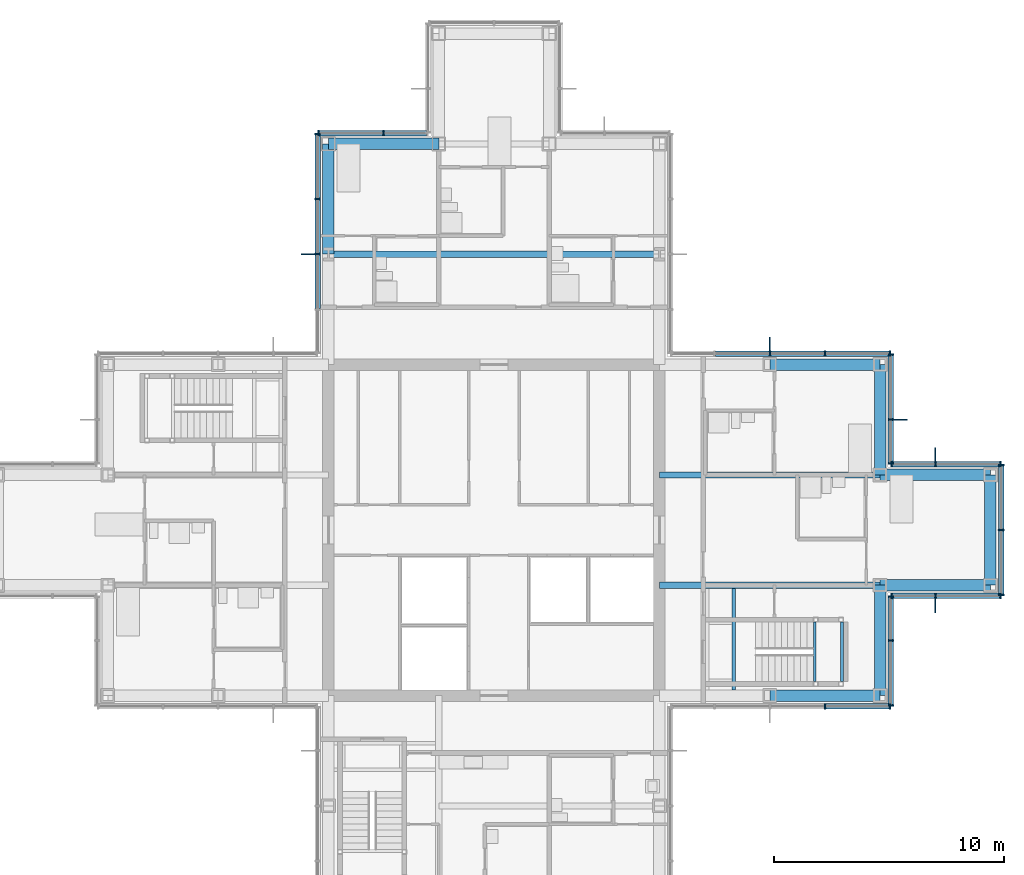
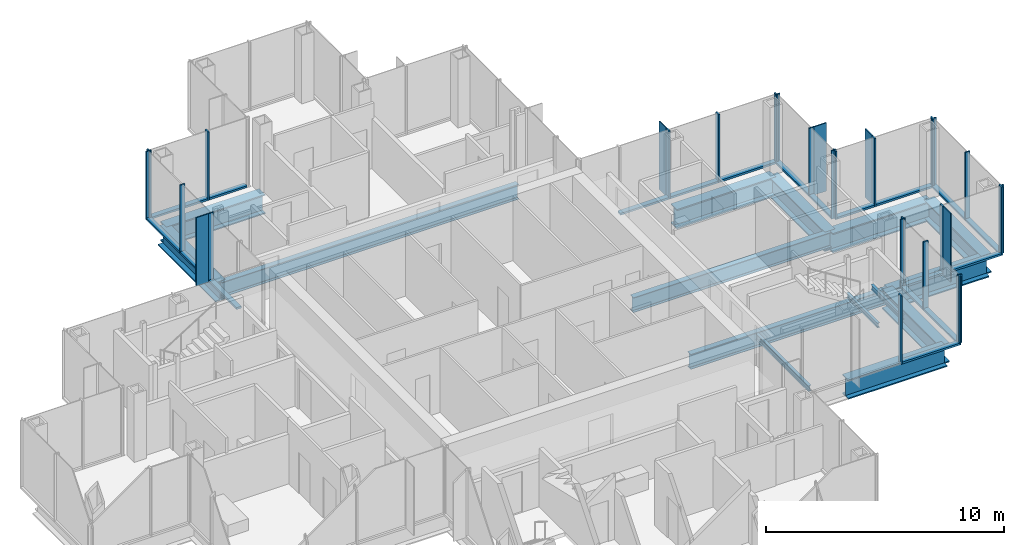
# One storey, part 8 of 17: 49 members, 15 beams, 9 elements without a shape of their own.
"""IFC4 building model written with IfcOpenShell, lengths in metres."""

from ifc_helpers import new_model, si_unit, direction, frame, origin, origin_2d, place, context, subcontext, project, spatial, rectangle, i_section, extrude, material, material_profile, profile_set, type_object, element, aggregate, save


model = new_model("IFC4")

# Units and contexts
model_context = context("Model", 3, precision=1e-05, world=origin(), true_north=direction((0.0, 1.0)))
body_context = subcontext(model_context, "Body", "Model", "MODEL_VIEW")
ifc_project = project(units=[si_unit("LENGTHUNIT", "METRE"), si_unit("AREAUNIT", "SQUARE_METRE"), si_unit("VOLUMEUNIT", "CUBIC_METRE"), si_unit("PLANEANGLEUNIT", "RADIAN"), si_unit("MASSUNIT", "GRAM", prefix="KILO")], contexts=[model_context])

# Site, building, storey
site_placement = place(None, origin())
site = spatial("IfcSite", under=ifc_project, at=site_placement, CompositionType="ELEMENT")
building_placement = place(site_placement, origin())
building = spatial("IfcBuilding", under=site, at=building_placement, Name="Kvirike Care Tower", CompositionType="ELEMENT")
storey_placement = place(building_placement, frame((0.0, 0.0, 148.0)))
storey = spatial("IfcBuildingStorey", under=building, at=storey_placement, Name="L40", CompositionType="ELEMENT", Elevation=148.0)

# Curtain wall, member
ifc_material_1 = material(Name="Anodised aluminium stick system", Category="aluminium")
curtain_wall_type = type_object("IfcCurtainWallType", Name="CW-C STICK CURTAIN WALL", PredefinedType="NOTDEFINED", material=ifc_material_1)
curtain_wall_1_placement = place(storey_placement, origin())
curtain_wall_1 = element("IfcCurtainWall", 1, at=curtain_wall_1_placement, inside=storey, type_object=curtain_wall_type, Name="Curtain wall L40 face 3", PredefinedType="NOTDEFINED")
ifc_material_2 = material(Name="Bronze anodised aluminium fin", Category="aluminium")
ifc_material_profile_1 = material_profile(ifc_material_2, rectangle(XDim=0.050048828125, YDim=0.60009765625, at=origin_2d()), Name="BRONZE FIN 600")
ifc_profile_set_1 = profile_set([ifc_material_profile_1], Name="Bronze anodised aluminium fin")
member_type_1 = type_object("IfcMemberType", Name="BRONZE FIN 600", PredefinedType="USERDEFINED", material=ifc_profile_set_1)
member_1_placement = place(storey_placement, frame((40.800048828125, 32.7099609375, 0.0), z_axis=(0.0, 0.0, 1.0), x_axis=(1.0, 0.0, 0.0)))
member_1 = element("IfcMember", 2, at=member_1_placement, type_object=member_type_1, Name="Bronze fin L40 face 3.2", ObjectType="FIN", PredefinedType="USERDEFINED", context=body_context, shape_type="SweptSolid", body=[
    extrude(rectangle(XDim=0.050048828125, YDim=0.60009765625, at=origin_2d()), origin(), (0.0, 0.0, 1.0), 3.5),
])

curtain_wall_2_placement = place(storey_placement, origin())
curtain_wall_2 = element("IfcCurtainWall", 3, at=curtain_wall_2_placement, inside=storey, type_object=curtain_wall_type, Name="Curtain wall L40 face 5", PredefinedType="NOTDEFINED")
member_2_placement = place(storey_placement, frame((40.800048828125, 39.2900390625, 0.0), z_axis=(0.0, 0.0, 1.0), x_axis=(-1.0, 0.0, 0.0)))
member_2 = element("IfcMember", 4, at=member_2_placement, type_object=member_type_1, Name="Bronze fin L40 face 5.2", ObjectType="FIN", PredefinedType="USERDEFINED", context=body_context, shape_type="SweptSolid", body=[
    extrude(rectangle(XDim=0.050048828125, YDim=0.60009765625, at=origin_2d()), origin(), (0.0, 0.0, 1.0), 3.5),
])

curtain_wall_3_placement = place(storey_placement, origin())
curtain_wall_3 = element("IfcCurtainWall", 5, at=curtain_wall_3_placement, inside=storey, type_object=curtain_wall_type, Name="Curtain wall L40 face 6", PredefinedType="NOTDEFINED")
member_3_placement = place(storey_placement, frame((39.2900390625, 40.800048828125, 0.0), z_axis=(0.0, 0.0, 1.0), x_axis=(0.0, 1.0, 0.0)))
member_3 = element("IfcMember", 6, at=member_3_placement, type_object=member_type_1, Name="Bronze fin L40 face 6.2", ObjectType="FIN", PredefinedType="USERDEFINED", context=body_context, shape_type="SweptSolid", body=[
    extrude(rectangle(XDim=0.050048828125, YDim=0.60009765625, at=origin_2d()), origin(), (0.0, 0.0, 1.0), 3.5),
])

curtain_wall_4_placement = place(storey_placement, origin())
curtain_wall_4 = element("IfcCurtainWall", 7, at=curtain_wall_4_placement, inside=storey, type_object=curtain_wall_type, Name="Curtain wall L40 face 7", PredefinedType="NOTDEFINED")
member_4_placement = place(storey_placement, frame((33.60009765625, 44.090087890625, 0.0), z_axis=(0.0, 0.0, 1.0), x_axis=(-1.0, 0.0, 0.0)))
member_4 = element("IfcMember", 8, at=member_4_placement, type_object=member_type_1, Name="Bronze fin L40 face 7.3", ObjectType="FIN", PredefinedType="USERDEFINED", context=body_context, shape_type="SweptSolid", body=[
    extrude(rectangle(XDim=0.050048828125, YDim=0.60009765625, at=origin_2d()), origin(), (0.0, 0.0, 1.0), 3.5),
])

curtain_wall_5_placement = place(storey_placement, origin())
curtain_wall_5 = element("IfcCurtainWall", 9, at=curtain_wall_5_placement, inside=storey, type_object=curtain_wall_type, Name="Curtain wall L40 face 14", PredefinedType="NOTDEFINED")
member_5_placement = place(storey_placement, frame((13.510009765625, 48.0, 0.0), z_axis=(0.0, 0.0, 1.0), x_axis=(0.0, -1.0, 0.0)))
member_5 = element("IfcMember", 10, at=member_5_placement, type_object=member_type_1, Name="Bronze fin L40 face 14.3", ObjectType="FIN", PredefinedType="USERDEFINED", context=body_context, shape_type="SweptSolid", body=[
    extrude(rectangle(XDim=0.050048828125, YDim=0.60009765625, at=origin_2d()), origin(), (0.0, 0.0, 1.0), 3.5),
])

# Curtain wall, members
curtain_wall_6_placement = place(storey_placement, origin())
curtain_wall_6 = element("IfcCurtainWall", 11, at=curtain_wall_6_placement, inside=storey, type_object=curtain_wall_type, Name="Curtain wall L40 face 1", PredefinedType="NOTDEFINED")
ifc_material_3 = material(Name="Bronze anodised aluminium mullion", Category="aluminium")
ifc_material_profile_2 = material_profile(ifc_material_3, rectangle(XDim=0.06494140625, YDim=0.239990234375, at=origin_2d()), Name="CW-C MULLION 65x240")
ifc_profile_set_2 = profile_set([ifc_material_profile_2], Name="Bronze anodised aluminium mullion")
member_type_2 = type_object("IfcMemberType", Name="CW-C MULLION 65x240", PredefinedType="MULLION", material=ifc_profile_set_2)
member_6_placement = place(storey_placement, frame((36.0, 28.330078125, 0.0), z_axis=(0.0, 0.0, 1.0), x_axis=(1.0, 0.0, 0.0)))
member_6 = element("IfcMember", 12, at=member_6_placement, type_object=member_type_2, Name="CW-C mullion L40 face 1.4", PredefinedType="MULLION", context=body_context, shape_type="SweptSolid", body=[
    extrude(rectangle(XDim=0.06494140625, YDim=0.239990234375, at=origin_2d()), origin(), (0.0, 0.0, 1.0), 3.5),
])
member_7_placement = place(storey_placement, frame((38.83740234375, 28.330078125, 0.0), z_axis=(0.0, 0.0, 1.0), x_axis=(1.0, 0.0, 0.0)))
member_7 = element("IfcMember", 13, at=member_7_placement, type_object=member_type_2, Name="CW-C mullion L40 face 1.5", PredefinedType="MULLION", context=body_context, shape_type="SweptSolid", body=[
    extrude(rectangle(XDim=0.06494140625, YDim=0.239990234375, at=origin_2d()), origin(), (0.0, 0.0, 1.0), 3.5),
])

curtain_wall_7_placement = place(storey_placement, origin())
curtain_wall_7 = element("IfcCurtainWall", 14, at=curtain_wall_7_placement, inside=storey, type_object=curtain_wall_type, Name="Curtain wall L40 face 2", PredefinedType="NOTDEFINED")
member_8_placement = place(storey_placement, frame((38.8701171875, 28.362548828125, 0.0), z_axis=(0.0, 0.0, 1.0), x_axis=(0.0, 1.0, 0.0)))
member_8 = element("IfcMember", 15, at=member_8_placement, type_object=member_type_2, Name="CW-C mullion L40 face 2.1", PredefinedType="MULLION", context=body_context, shape_type="SweptSolid", body=[
    extrude(rectangle(XDim=0.06494140625, YDim=0.239990234375, at=origin_2d()), origin(), (0.0, 0.0, 1.0), 3.5),
])
member_9_placement = place(storey_placement, frame((38.8701171875, 31.199951171875, 0.0), z_axis=(0.0, 0.0, 1.0), x_axis=(0.0, 1.0, 0.0)))
member_9 = element("IfcMember", 16, at=member_9_placement, type_object=member_type_2, Name="CW-C mullion L40 face 2.2", PredefinedType="MULLION", context=body_context, shape_type="SweptSolid", body=[
    extrude(rectangle(XDim=0.06494140625, YDim=0.239990234375, at=origin_2d()), origin(), (0.0, 0.0, 1.0), 3.5),
])
member_10_placement = place(storey_placement, frame((38.8701171875, 33.097412109375, 0.0), z_axis=(0.0, 0.0, 1.0), x_axis=(0.0, 1.0, 0.0)))
member_10 = element("IfcMember", 17, at=member_10_placement, type_object=member_type_2, Name="CW-C mullion L40 face 2.3", PredefinedType="MULLION", context=body_context, shape_type="SweptSolid", body=[
    extrude(rectangle(XDim=0.06494140625, YDim=0.239990234375, at=origin_2d()), origin(), (0.0, 0.0, 1.0), 3.5),
])

# Member
member_11_placement = place(storey_placement, frame((38.902587890625, 33.1298828125, 0.0), z_axis=(0.0, 0.0, 1.0), x_axis=(1.0, 0.0, 0.0)))
member_11 = element("IfcMember", 18, at=member_11_placement, type_object=member_type_2, Name="CW-C mullion L40 face 3.1", PredefinedType="MULLION", context=body_context, shape_type="SweptSolid", body=[
    extrude(rectangle(XDim=0.06494140625, YDim=0.239990234375, at=origin_2d()), origin(), (0.0, 0.0, 1.0), 3.5),
])

member_12_placement = place(storey_placement, frame((40.800048828125, 33.1298828125, 0.0), z_axis=(0.0, 0.0, 1.0), x_axis=(1.0, 0.0, 0.0)))
member_12 = element("IfcMember", 19, at=member_12_placement, type_object=member_type_2, Name="CW-C mullion L40 face 3.2", PredefinedType="MULLION", context=body_context, shape_type="SweptSolid", body=[
    extrude(rectangle(XDim=0.06494140625, YDim=0.239990234375, at=origin_2d()), origin(), (0.0, 0.0, 1.0), 3.5),
])

member_13_placement = place(storey_placement, frame((43.637451171875, 33.1298828125, 0.0), z_axis=(0.0, 0.0, 1.0), x_axis=(1.0, 0.0, 0.0)))
member_13 = element("IfcMember", 20, at=member_13_placement, type_object=member_type_2, Name="CW-C mullion L40 face 3.3", PredefinedType="MULLION", context=body_context, shape_type="SweptSolid", body=[
    extrude(rectangle(XDim=0.06494140625, YDim=0.239990234375, at=origin_2d()), origin(), (0.0, 0.0, 1.0), 3.5),
])

# Curtain wall, members
curtain_wall_8_placement = place(storey_placement, origin())
curtain_wall_8 = element("IfcCurtainWall", 21, at=curtain_wall_8_placement, inside=storey, type_object=curtain_wall_type, Name="Curtain wall L40 face 4", PredefinedType="NOTDEFINED")
member_14_placement = place(storey_placement, frame((43.669921875, 33.16259765625, 0.0), z_axis=(0.0, 0.0, 1.0), x_axis=(0.0, 1.0, 0.0)))
member_14 = element("IfcMember", 22, at=member_14_placement, type_object=member_type_2, Name="CW-C mullion L40 face 4.1", PredefinedType="MULLION", context=body_context, shape_type="SweptSolid", body=[
    extrude(rectangle(XDim=0.06494140625, YDim=0.239990234375, at=origin_2d()), origin(), (0.0, 0.0, 1.0), 3.5),
])
member_15_placement = place(storey_placement, frame((43.669921875, 36.0, 0.0), z_axis=(0.0, 0.0, 1.0), x_axis=(0.0, 1.0, 0.0)))
member_15 = element("IfcMember", 23, at=member_15_placement, type_object=member_type_2, Name="CW-C mullion L40 face 4.2", PredefinedType="MULLION", context=body_context, shape_type="SweptSolid", body=[
    extrude(rectangle(XDim=0.06494140625, YDim=0.239990234375, at=origin_2d()), origin(), (0.0, 0.0, 1.0), 3.5),
])
member_16_placement = place(storey_placement, frame((43.669921875, 38.83740234375, 0.0), z_axis=(0.0, 0.0, 1.0), x_axis=(0.0, 1.0, 0.0)))
member_16 = element("IfcMember", 24, at=member_16_placement, type_object=member_type_2, Name="CW-C mullion L40 face 4.3", PredefinedType="MULLION", context=body_context, shape_type="SweptSolid", body=[
    extrude(rectangle(XDim=0.06494140625, YDim=0.239990234375, at=origin_2d()), origin(), (0.0, 0.0, 1.0), 3.5),
])

# Member
member_17_placement = place(storey_placement, frame((43.637451171875, 38.8701171875, 0.0), z_axis=(0.0, 0.0, 1.0), x_axis=(-1.0, 0.0, 0.0)))
member_17 = element("IfcMember", 25, at=member_17_placement, type_object=member_type_2, Name="CW-C mullion L40 face 5.1", PredefinedType="MULLION", context=body_context, shape_type="SweptSolid", body=[
    extrude(rectangle(XDim=0.06494140625, YDim=0.239990234375, at=origin_2d()), origin(), (0.0, 0.0, 1.0), 3.5),
])

member_18_placement = place(storey_placement, frame((40.800048828125, 38.8701171875, 0.0), z_axis=(0.0, 0.0, 1.0), x_axis=(-1.0, 0.0, 0.0)))
member_18 = element("IfcMember", 26, at=member_18_placement, type_object=member_type_2, Name="CW-C mullion L40 face 5.2", PredefinedType="MULLION", context=body_context, shape_type="SweptSolid", body=[
    extrude(rectangle(XDim=0.06494140625, YDim=0.239990234375, at=origin_2d()), origin(), (0.0, 0.0, 1.0), 3.5),
])

member_19_placement = place(storey_placement, frame((38.902587890625, 38.8701171875, 0.0), z_axis=(0.0, 0.0, 1.0), x_axis=(-1.0, 0.0, 0.0)))
member_19 = element("IfcMember", 27, at=member_19_placement, type_object=member_type_2, Name="CW-C mullion L40 face 5.3", PredefinedType="MULLION", context=body_context, shape_type="SweptSolid", body=[
    extrude(rectangle(XDim=0.06494140625, YDim=0.239990234375, at=origin_2d()), origin(), (0.0, 0.0, 1.0), 3.5),
])

member_20_placement = place(storey_placement, frame((38.8701171875, 38.902587890625, 0.0), z_axis=(0.0, 0.0, 1.0), x_axis=(0.0, 1.0, 0.0)))
member_20 = element("IfcMember", 28, at=member_20_placement, type_object=member_type_2, Name="CW-C mullion L40 face 6.1", PredefinedType="MULLION", context=body_context, shape_type="SweptSolid", body=[
    extrude(rectangle(XDim=0.06494140625, YDim=0.239990234375, at=origin_2d()), origin(), (0.0, 0.0, 1.0), 3.5),
])

member_21_placement = place(storey_placement, frame((38.8701171875, 40.800048828125, 0.0), z_axis=(0.0, 0.0, 1.0), x_axis=(0.0, 1.0, 0.0)))
member_21 = element("IfcMember", 29, at=member_21_placement, type_object=member_type_2, Name="CW-C mullion L40 face 6.2", PredefinedType="MULLION", context=body_context, shape_type="SweptSolid", body=[
    extrude(rectangle(XDim=0.06494140625, YDim=0.239990234375, at=origin_2d()), origin(), (0.0, 0.0, 1.0), 3.5),
])

member_22_placement = place(storey_placement, frame((38.8701171875, 43.637451171875, 0.0), z_axis=(0.0, 0.0, 1.0), x_axis=(0.0, 1.0, 0.0)))
member_22 = element("IfcMember", 30, at=member_22_placement, type_object=member_type_2, Name="CW-C mullion L40 face 6.3", PredefinedType="MULLION", context=body_context, shape_type="SweptSolid", body=[
    extrude(rectangle(XDim=0.06494140625, YDim=0.239990234375, at=origin_2d()), origin(), (0.0, 0.0, 1.0), 3.5),
])

member_23_placement = place(storey_placement, frame((38.83740234375, 43.669921875, 0.0), z_axis=(0.0, 0.0, 1.0), x_axis=(-1.0, 0.0, 0.0)))
member_23 = element("IfcMember", 31, at=member_23_placement, type_object=member_type_2, Name="CW-C mullion L40 face 7.1", PredefinedType="MULLION", context=body_context, shape_type="SweptSolid", body=[
    extrude(rectangle(XDim=0.06494140625, YDim=0.239990234375, at=origin_2d()), origin(), (0.0, 0.0, 1.0), 3.5),
])

member_24_placement = place(storey_placement, frame((36.0, 43.669921875, 0.0), z_axis=(0.0, 0.0, 1.0), x_axis=(-1.0, 0.0, 0.0)))
member_24 = element("IfcMember", 32, at=member_24_placement, type_object=member_type_2, Name="CW-C mullion L40 face 7.2", PredefinedType="MULLION", context=body_context, shape_type="SweptSolid", body=[
    extrude(rectangle(XDim=0.06494140625, YDim=0.239990234375, at=origin_2d()), origin(), (0.0, 0.0, 1.0), 3.5),
])

member_25_placement = place(storey_placement, frame((33.60009765625, 43.669921875, 0.0), z_axis=(0.0, 0.0, 1.0), x_axis=(-1.0, 0.0, 0.0)))
member_25 = element("IfcMember", 33, at=member_25_placement, type_object=member_type_2, Name="CW-C mullion L40 face 7.3", PredefinedType="MULLION", context=body_context, shape_type="SweptSolid", body=[
    extrude(rectangle(XDim=0.06494140625, YDim=0.239990234375, at=origin_2d()), origin(), (0.0, 0.0, 1.0), 3.5),
])

# Curtain wall, members
curtain_wall_9_placement = place(storey_placement, origin())
curtain_wall_9 = element("IfcCurtainWall", 34, at=curtain_wall_9_placement, inside=storey, type_object=curtain_wall_type, Name="Curtain wall L40 face 13", PredefinedType="NOTDEFINED")
member_26_placement = place(storey_placement, frame((16.800048828125, 53.27001953125, 0.0), z_axis=(0.0, 0.0, 1.0), x_axis=(-1.0, 0.0, 0.0)))
member_26 = element("IfcMember", 35, at=member_26_placement, type_object=member_type_2, Name="CW-C mullion L40 face 13.2", PredefinedType="MULLION", context=body_context, shape_type="SweptSolid", body=[
    extrude(rectangle(XDim=0.06494140625, YDim=0.239990234375, at=origin_2d()), origin(), (0.0, 0.0, 1.0), 3.5),
])
member_27_placement = place(storey_placement, frame((13.96240234375, 53.27001953125, 0.0), z_axis=(0.0, 0.0, 1.0), x_axis=(-1.0, 0.0, 0.0)))
member_27 = element("IfcMember", 36, at=member_27_placement, type_object=member_type_2, Name="CW-C mullion L40 face 13.3", PredefinedType="MULLION", context=body_context, shape_type="SweptSolid", body=[
    extrude(rectangle(XDim=0.06494140625, YDim=0.239990234375, at=origin_2d()), origin(), (0.0, 0.0, 1.0), 3.5),
])

# Member
member_28_placement = place(storey_placement, frame((13.929931640625, 53.237548828125, 0.0), z_axis=(0.0, 0.0, 1.0), x_axis=(0.0, -1.0, 0.0)))
member_28 = element("IfcMember", 37, at=member_28_placement, type_object=member_type_2, Name="CW-C mullion L40 face 14.1", PredefinedType="MULLION", context=body_context, shape_type="SweptSolid", body=[
    extrude(rectangle(XDim=0.06494140625, YDim=0.239990234375, at=origin_2d()), origin(), (0.0, 0.0, 1.0), 3.5),
])

member_29_placement = place(storey_placement, frame((13.929931640625, 50.39990234375, 0.0), z_axis=(0.0, 0.0, 1.0), x_axis=(0.0, -1.0, 0.0)))
member_29 = element("IfcMember", 38, at=member_29_placement, type_object=member_type_2, Name="CW-C mullion L40 face 14.2", PredefinedType="MULLION", context=body_context, shape_type="SweptSolid", body=[
    extrude(rectangle(XDim=0.06494140625, YDim=0.239990234375, at=origin_2d()), origin(), (0.0, 0.0, 1.0), 3.5),
])

member_30_placement = place(storey_placement, frame((13.929931640625, 48.0, 0.0), z_axis=(0.0, 0.0, 1.0), x_axis=(0.0, -1.0, 0.0)))
member_30 = element("IfcMember", 39, at=member_30_placement, type_object=member_type_2, Name="CW-C mullion L40 face 14.3", PredefinedType="MULLION", context=body_context, shape_type="SweptSolid", body=[
    extrude(rectangle(XDim=0.06494140625, YDim=0.239990234375, at=origin_2d()), origin(), (0.0, 0.0, 1.0), 3.5),
])

ifc_material_4 = material(Name="Bronze anodised aluminium transom", Category="aluminium")
ifc_material_profile_3 = material_profile(ifc_material_4, rectangle(XDim=0.239990234375, YDim=0.10009765625, at=origin_2d()), Name="CW-C TRANSOM 240x100")
ifc_profile_set_3 = profile_set([ifc_material_profile_3], Name="Bronze anodised aluminium transom")
member_type_3 = type_object("IfcMemberType", Name="CW-C TRANSOM 240x100", PredefinedType="USERDEFINED", material=ifc_profile_set_3)
member_31_placement = place(storey_placement, frame((36.032470703125, 28.330078125, 0.050048828125), z_axis=(1.0, 0.0, 0.0), x_axis=(0.0, 1.0, 0.0)))
member_31 = element("IfcMember", 40, at=member_31_placement, type_object=member_type_3, Name="CW-C sill transom L40 face 1.4", ObjectType="TRANSOM", PredefinedType="USERDEFINED", context=body_context, shape_type="SweptSolid", body=[
    extrude(rectangle(XDim=0.239990234375, YDim=0.10009765625, at=origin_2d()), origin(), (0.0, 0.0, 1.0), 2.7724609375),
])

aggregate(curtain_wall_6, [member_6, member_7, member_31])

member_32_placement = place(storey_placement, frame((38.8701171875, 28.39501953125, 0.050048828125), z_axis=(0.0, 1.0, 0.0), x_axis=(-1.0, 0.0, 0.0)))
member_32 = element("IfcMember", 41, at=member_32_placement, type_object=member_type_3, Name="CW-C sill transom L40 face 2.1", ObjectType="TRANSOM", PredefinedType="USERDEFINED", context=body_context, shape_type="SweptSolid", body=[
    extrude(rectangle(XDim=0.239990234375, YDim=0.10009765625, at=origin_2d()), origin(), (0.0, 0.0, 1.0), 2.7724609375),
])

member_33_placement = place(storey_placement, frame((38.8701171875, 31.232421875, 0.050048828125), z_axis=(0.0, 1.0, 0.0), x_axis=(-1.0, 0.0, 0.0)))
member_33 = element("IfcMember", 42, at=member_33_placement, type_object=member_type_3, Name="CW-C sill transom L40 face 2.2", ObjectType="TRANSOM", PredefinedType="USERDEFINED", context=body_context, shape_type="SweptSolid", body=[
    extrude(rectangle(XDim=0.239990234375, YDim=0.10009765625, at=origin_2d()), origin(), (0.0, 0.0, 1.0), 1.83251953125),
])

aggregate(curtain_wall_7, [member_8, member_9, member_10, member_32, member_33])

member_34_placement = place(storey_placement, frame((38.93505859375, 33.1298828125, 0.050048828125), z_axis=(1.0, 0.0, 0.0), x_axis=(0.0, 1.0, 0.0)))
member_34 = element("IfcMember", 43, at=member_34_placement, type_object=member_type_3, Name="CW-C sill transom L40 face 3.1", ObjectType="TRANSOM", PredefinedType="USERDEFINED", context=body_context, shape_type="SweptSolid", body=[
    extrude(rectangle(XDim=0.239990234375, YDim=0.10009765625, at=origin_2d()), origin(), (0.0, 0.0, 1.0), 1.83251953125),
])

member_35_placement = place(storey_placement, frame((40.83251953125, 33.1298828125, 0.050048828125), z_axis=(1.0, 0.0, 0.0), x_axis=(0.0, 1.0, 0.0)))
member_35 = element("IfcMember", 44, at=member_35_placement, type_object=member_type_3, Name="CW-C sill transom L40 face 3.2", ObjectType="TRANSOM", PredefinedType="USERDEFINED", context=body_context, shape_type="SweptSolid", body=[
    extrude(rectangle(XDim=0.239990234375, YDim=0.10009765625, at=origin_2d()), origin(), (0.0, 0.0, 1.0), 2.7724609375),
])

aggregate(curtain_wall_1, [member_11, member_12, member_1, member_13, member_34, member_35])

member_36_placement = place(storey_placement, frame((43.669921875, 33.195068359375, 0.050048828125), z_axis=(0.0, 1.0, 0.0), x_axis=(-1.0, 0.0, 0.0)))
member_36 = element("IfcMember", 45, at=member_36_placement, type_object=member_type_3, Name="CW-C sill transom L40 face 4.1", ObjectType="TRANSOM", PredefinedType="USERDEFINED", context=body_context, shape_type="SweptSolid", body=[
    extrude(rectangle(XDim=0.239990234375, YDim=0.10009765625, at=origin_2d()), origin(), (0.0, 0.0, 1.0), 2.7724609375),
])

member_37_placement = place(storey_placement, frame((43.669921875, 36.032470703125, 0.050048828125), z_axis=(0.0, 1.0, 0.0), x_axis=(-1.0, 0.0, 0.0)))
member_37 = element("IfcMember", 46, at=member_37_placement, type_object=member_type_3, Name="CW-C sill transom L40 face 4.2", ObjectType="TRANSOM", PredefinedType="USERDEFINED", context=body_context, shape_type="SweptSolid", body=[
    extrude(rectangle(XDim=0.239990234375, YDim=0.10009765625, at=origin_2d()), origin(), (0.0, 0.0, 1.0), 2.7724609375),
])

aggregate(curtain_wall_8, [member_14, member_15, member_16, member_36, member_37])

member_38_placement = place(storey_placement, frame((43.60498046875, 38.8701171875, 0.050048828125), z_axis=(-1.0, 0.0, 0.0), x_axis=(0.0, -1.0, 0.0)))
member_38 = element("IfcMember", 47, at=member_38_placement, type_object=member_type_3, Name="CW-C sill transom L40 face 5.1", ObjectType="TRANSOM", PredefinedType="USERDEFINED", context=body_context, shape_type="SweptSolid", body=[
    extrude(rectangle(XDim=0.239990234375, YDim=0.10009765625, at=origin_2d()), origin(), (0.0, 0.0, 1.0), 2.7724609375),
])

member_39_placement = place(storey_placement, frame((40.767578125, 38.8701171875, 0.050048828125), z_axis=(-1.0, 0.0, 0.0), x_axis=(0.0, -1.0, 0.0)))
member_39 = element("IfcMember", 48, at=member_39_placement, type_object=member_type_3, Name="CW-C sill transom L40 face 5.2", ObjectType="TRANSOM", PredefinedType="USERDEFINED", context=body_context, shape_type="SweptSolid", body=[
    extrude(rectangle(XDim=0.239990234375, YDim=0.10009765625, at=origin_2d()), origin(), (0.0, 0.0, 1.0), 1.83251953125),
])

aggregate(curtain_wall_2, [member_17, member_18, member_2, member_19, member_38, member_39])

member_40_placement = place(storey_placement, frame((38.8701171875, 38.93505859375, 0.050048828125), z_axis=(0.0, 1.0, 0.0), x_axis=(-1.0, 0.0, 0.0)))
member_40 = element("IfcMember", 49, at=member_40_placement, type_object=member_type_3, Name="CW-C sill transom L40 face 6.1", ObjectType="TRANSOM", PredefinedType="USERDEFINED", context=body_context, shape_type="SweptSolid", body=[
    extrude(rectangle(XDim=0.239990234375, YDim=0.10009765625, at=origin_2d()), origin(), (0.0, 0.0, 1.0), 1.83251953125),
])

member_41_placement = place(storey_placement, frame((38.8701171875, 40.83251953125, 0.050048828125), z_axis=(0.0, 1.0, 0.0), x_axis=(-1.0, 0.0, 0.0)))
member_41 = element("IfcMember", 50, at=member_41_placement, type_object=member_type_3, Name="CW-C sill transom L40 face 6.2", ObjectType="TRANSOM", PredefinedType="USERDEFINED", context=body_context, shape_type="SweptSolid", body=[
    extrude(rectangle(XDim=0.239990234375, YDim=0.10009765625, at=origin_2d()), origin(), (0.0, 0.0, 1.0), 2.7724609375),
])

aggregate(curtain_wall_3, [member_20, member_21, member_3, member_22, member_40, member_41])

member_42_placement = place(storey_placement, frame((38.804931640625, 43.669921875, 0.050048828125), z_axis=(-1.0, 0.0, 0.0), x_axis=(0.0, -1.0, 0.0)))
member_42 = element("IfcMember", 51, at=member_42_placement, type_object=member_type_3, Name="CW-C sill transom L40 face 7.1", ObjectType="TRANSOM", PredefinedType="USERDEFINED", context=body_context, shape_type="SweptSolid", body=[
    extrude(rectangle(XDim=0.239990234375, YDim=0.10009765625, at=origin_2d()), origin(), (0.0, 0.0, 1.0), 2.7724609375),
])

member_43_placement = place(storey_placement, frame((35.967529296875, 43.669921875, 0.050048828125), z_axis=(-1.0, 0.0, 0.0), x_axis=(0.0, -1.0, 0.0)))
member_43 = element("IfcMember", 52, at=member_43_placement, type_object=member_type_3, Name="CW-C sill transom L40 face 7.2", ObjectType="TRANSOM", PredefinedType="USERDEFINED", context=body_context, shape_type="SweptSolid", body=[
    extrude(rectangle(XDim=0.239990234375, YDim=0.10009765625, at=origin_2d()), origin(), (0.0, 0.0, 1.0), 2.3349609375),
])

member_44_placement = place(storey_placement, frame((33.5673828125, 43.669921875, 0.050048828125), z_axis=(-1.0, 0.0, 0.0), x_axis=(0.0, -1.0, 0.0)))
member_44 = element("IfcMember", 53, at=member_44_placement, type_object=member_type_3, Name="CW-C sill transom L40 face 7.3", ObjectType="TRANSOM", PredefinedType="USERDEFINED", context=body_context, shape_type="SweptSolid", body=[
    extrude(rectangle(XDim=0.239990234375, YDim=0.10009765625, at=origin_2d()), origin(), (0.0, 0.0, 1.0), 2.3349609375),
])

aggregate(curtain_wall_4, [member_23, member_24, member_25, member_4, member_42, member_43, member_44])

member_45_placement = place(storey_placement, frame((18.6650390625, 53.27001953125, 0.050048828125), z_axis=(-1.0, 0.0, 0.0), x_axis=(0.0, -1.0, 0.0)))
member_45 = element("IfcMember", 54, at=member_45_placement, type_object=member_type_3, Name="CW-C sill transom L40 face 13.1", ObjectType="TRANSOM", PredefinedType="USERDEFINED", context=body_context, shape_type="SweptSolid", body=[
    extrude(rectangle(XDim=0.239990234375, YDim=0.10009765625, at=origin_2d()), origin(), (0.0, 0.0, 1.0), 1.83251953125),
])

member_46_placement = place(storey_placement, frame((16.767578125, 53.27001953125, 0.050048828125), z_axis=(-1.0, 0.0, 0.0), x_axis=(0.0, -1.0, 0.0)))
member_46 = element("IfcMember", 55, at=member_46_placement, type_object=member_type_3, Name="CW-C sill transom L40 face 13.2", ObjectType="TRANSOM", PredefinedType="USERDEFINED", context=body_context, shape_type="SweptSolid", body=[
    extrude(rectangle(XDim=0.239990234375, YDim=0.10009765625, at=origin_2d()), origin(), (0.0, 0.0, 1.0), 2.7724609375),
])

aggregate(curtain_wall_9, [member_26, member_27, member_45, member_46])

member_47_placement = place(storey_placement, frame((13.929931640625, 53.205078125, 0.050048828125), z_axis=(0.0, -1.0, 0.0), x_axis=(1.0, 0.0, 0.0)))
member_47 = element("IfcMember", 56, at=member_47_placement, type_object=member_type_3, Name="CW-C sill transom L40 face 14.1", ObjectType="TRANSOM", PredefinedType="USERDEFINED", context=body_context, shape_type="SweptSolid", body=[
    extrude(rectangle(XDim=0.239990234375, YDim=0.10009765625, at=origin_2d()), origin(), (0.0, 0.0, 1.0), 2.7724609375),
])

member_48_placement = place(storey_placement, frame((13.929931640625, 50.367431640625, 0.050048828125), z_axis=(0.0, -1.0, 0.0), x_axis=(1.0, 0.0, 0.0)))
member_48 = element("IfcMember", 57, at=member_48_placement, type_object=member_type_3, Name="CW-C sill transom L40 face 14.2", ObjectType="TRANSOM", PredefinedType="USERDEFINED", context=body_context, shape_type="SweptSolid", body=[
    extrude(rectangle(XDim=0.239990234375, YDim=0.10009765625, at=origin_2d()), origin(), (0.0, 0.0, 1.0), 2.3349609375),
])

member_49_placement = place(storey_placement, frame((13.929931640625, 47.967529296875, 0.050048828125), z_axis=(0.0, -1.0, 0.0), x_axis=(1.0, 0.0, 0.0)))
member_49 = element("IfcMember", 58, at=member_49_placement, type_object=member_type_3, Name="CW-C sill transom L40 face 14.3", ObjectType="TRANSOM", PredefinedType="USERDEFINED", context=body_context, shape_type="SweptSolid", body=[
    extrude(rectangle(XDim=0.239990234375, YDim=0.10009765625, at=origin_2d()), origin(), (0.0, 0.0, 1.0), 2.3349609375),
])

aggregate(curtain_wall_5, [member_28, member_29, member_30, member_5, member_47, member_48, member_49])

# Beams
ifc_material_5 = material(Name="Steel S355", Category="steel")
ifc_material_profile_4 = material_profile(ifc_material_5, i_section(OverallWidth=0.26806640625, OverallDepth=0.77001953125, WebThickness=0.015625, FlangeThickness=0.025390625, FilletRadius=0.01708984375, at=origin_2d()), Name="IPE 750x196")
ifc_profile_set_4 = profile_set([ifc_material_profile_4], Name="Steel S355")
beam_type_1 = type_object("IfcBeamType", Name="FLOOR BEAM IPE 750x196", PredefinedType="BEAM", material=ifc_profile_set_4)
for number, where, z_axis, x_axis, name in (
    (59, (28.800048828125, 33.60009765625, -0.554931640625), (1.0, 0.0, 0.0), (0.0, 1.0, 0.0), "Floor Beam H9-H11 L40"),
    (60, (28.800048828125, 38.39990234375, -0.554931640625), (1.0, 0.0, 0.0), (0.0, 1.0, 0.0), "Floor Beam J9-J11 L40"),
):
    element("IfcBeam", number, at=place(storey_placement, frame(where, z_axis=z_axis, x_axis=x_axis)), inside=storey, type_object=beam_type_1, Name=name, PredefinedType="BEAM", context=body_context, shape_type="SweptSolid", body=[
        extrude(i_section(OverallWidth=0.26806640625, OverallDepth=0.77001953125, WebThickness=0.015625, FlangeThickness=0.025390625, FilletRadius=0.01708984375, at=origin_2d()), origin(), (0.0, 0.0, 1.0), 9.599853515625),
    ])
beam_1_placement = place(storey_placement, frame((14.39990234375, 48.0, -0.554931640625), z_axis=(1.0, 0.0, 0.0), x_axis=(0.0, 1.0, 0.0)))
element("IfcBeam", 61, at=beam_1_placement, inside=storey, type_object=beam_type_1, Name="Floor Beam L6-L9 L40", PredefinedType="BEAM", context=body_context, shape_type="SweptSolid", body=[
    extrude(i_section(OverallWidth=0.26806640625, OverallDepth=0.77001953125, WebThickness=0.015625, FlangeThickness=0.025390625, FilletRadius=0.01708984375, at=origin_2d()), origin(), (0.0, 0.0, 1.0), 14.400146484375),
])
ifc_material_6 = material(Name="Steel S355", Category="steel")
ifc_material_profile_5 = material_profile(ifc_material_6, i_section(OverallWidth=0.5, OverallDepth=1.0, WebThickness=0.030029296875, FlangeThickness=0.06005859375, at=origin_2d()), Name="PG 1000x500x30x60")
ifc_profile_set_5 = profile_set([ifc_material_profile_5], Name="Steel S355")
beam_type_2 = type_object("IfcBeamType", Name="SPANDREL PG 1000x500x30x60", PredefinedType="SPANDREL", material=ifc_profile_set_5)
beam_2_placement = place(storey_placement, frame((33.60009765625, 28.800048828125, -0.669921875), z_axis=(1.0, 0.0, 0.0), x_axis=(0.0, 1.0, 0.0)))
element("IfcBeam", 62, at=beam_2_placement, inside=storey, type_object=beam_type_2, Name="Spandrel G10-G11 L40", PredefinedType="SPANDREL", context=body_context, shape_type="SweptSolid", body=[
    extrude(i_section(OverallWidth=0.5, OverallDepth=1.0, WebThickness=0.030029296875, FlangeThickness=0.06005859375, at=origin_2d()), origin(), (0.0, 0.0, 1.0), 4.7998046875),
])
for number, where, z_axis, x_axis, name in (
    (63, (38.39990234375, 33.60009765625, -0.669921875), (1.0, 0.0, 0.0), (0.0, 1.0, 0.0), "Spandrel H11-H12 L40"),
    (64, (38.39990234375, 38.39990234375, -0.669921875), (1.0, 0.0, 0.0), (0.0, 1.0, 0.0), "Spandrel J11-J12 L40"),
):
    element("IfcBeam", number, at=place(storey_placement, frame(where, z_axis=z_axis, x_axis=x_axis)), inside=storey, type_object=beam_type_2, Name=name, PredefinedType="SPANDREL", context=body_context, shape_type="SweptSolid", body=[
        extrude(i_section(OverallWidth=0.5, OverallDepth=1.0, WebThickness=0.030029296875, FlangeThickness=0.06005859375, at=origin_2d()), origin(), (0.0, 0.0, 1.0), 4.800048828125),
    ])
beam_3_placement = place(storey_placement, frame((33.60009765625, 43.199951171875, -0.669921875), z_axis=(1.0, 0.0, 0.0), x_axis=(0.0, 1.0, 0.0)))
element("IfcBeam", 65, at=beam_3_placement, inside=storey, type_object=beam_type_2, Name="Spandrel K10-K11 L40", PredefinedType="SPANDREL", context=body_context, shape_type="SweptSolid", body=[
    extrude(i_section(OverallWidth=0.5, OverallDepth=1.0, WebThickness=0.030029296875, FlangeThickness=0.06005859375, at=origin_2d()), origin(), (0.0, 0.0, 1.0), 4.7998046875),
])
for number, where, z_axis, x_axis, name in (
    (66, (14.39990234375, 52.800048828125, -0.669921875), (1.0, 0.0, 0.0), (0.0, 1.0, 0.0), "Spandrel M6-M7 L40"),
    (67, (14.39990234375, 48.0, -0.669921875), (0.0, 1.0, 0.0), (-1.0, 0.0, 0.0), "Spandrel L6-M6 L40"),
    (68, (38.39990234375, 28.800048828125, -0.669921875), (0.0, 1.0, 0.0), (-1.0, 0.0, 0.0), "Spandrel G11-H11 L40"),
    (69, (38.39990234375, 38.39990234375, -0.669921875), (0.0, 1.0, 0.0), (-1.0, 0.0, 0.0), "Spandrel J11-K11 L40"),
):
    element("IfcBeam", number, at=place(storey_placement, frame(where, z_axis=z_axis, x_axis=x_axis)), inside=storey, type_object=beam_type_2, Name=name, PredefinedType="SPANDREL", context=body_context, shape_type="SweptSolid", body=[
        extrude(i_section(OverallWidth=0.5, OverallDepth=1.0, WebThickness=0.030029296875, FlangeThickness=0.06005859375, at=origin_2d()), origin(), (0.0, 0.0, 1.0), 4.800048828125),
    ])
beam_4_placement = place(storey_placement, frame((43.199951171875, 33.60009765625, -0.669921875), z_axis=(0.0, 1.0, 0.0), x_axis=(-1.0, 0.0, 0.0)))
element("IfcBeam", 70, at=beam_4_placement, inside=storey, type_object=beam_type_2, Name="Spandrel H12-J12 L40", PredefinedType="SPANDREL", context=body_context, shape_type="SweptSolid", body=[
    extrude(i_section(OverallWidth=0.5, OverallDepth=1.0, WebThickness=0.030029296875, FlangeThickness=0.06005859375, at=origin_2d()), origin(), (0.0, 0.0, 1.0), 4.7998046875),
])
ifc_material_7 = material(Name="Steel S355", Category="steel")
ifc_material_profile_6 = material_profile(ifc_material_7, i_section(OverallWidth=0.1201171875, OverallDepth=0.239990234375, WebThickness=0.006103515625, FlangeThickness=0.009765625, FilletRadius=0.014892578125, at=origin_2d()), Name="IPE 240")
ifc_profile_set_6 = profile_set([ifc_material_profile_6], Name="Steel S355")
beam_type_3 = type_object("IfcBeamType", Name="STAIR LANDING BEAM IPE 240", PredefinedType="BEAM", material=ifc_profile_set_6)
for number, where, z_axis, x_axis, name in (
    (71, (36.739990234375, 29.39990234375, 1.429931640625), (0.0, 1.0, 0.0), (-1.0, 0.0, 0.0), "Stair 2 landing beam back L40"),
    (72, (35.56005859375, 29.39990234375, 1.429931640625), (0.0, 1.0, 0.0), (-1.0, 0.0, 0.0), "Stair 2 landing beam front L40"),
):
    element("IfcBeam", number, at=place(storey_placement, frame(where, z_axis=z_axis, x_axis=x_axis)), inside=storey, type_object=beam_type_3, Name=name, PredefinedType="BEAM", context=body_context, shape_type="SweptSolid", body=[
        extrude(i_section(OverallWidth=0.1201171875, OverallDepth=0.239990234375, WebThickness=0.006103515625, FlangeThickness=0.009765625, FilletRadius=0.014892578125, at=origin_2d()), origin(), (0.0, 0.0, 1.0), 2.60009765625),
    ])
ifc_material_8 = material(Name="Steel S355", Category="steel")
ifc_material_profile_7 = material_profile(ifc_material_8, i_section(OverallWidth=0.14990234375, OverallDepth=0.300048828125, WebThickness=0.007080078125, FlangeThickness=0.0107421875, FilletRadius=0.014892578125, at=origin_2d()), Name="IPE 300")
ifc_profile_set_7 = profile_set([ifc_material_profile_7], Name="Steel S355")
beam_type_4 = type_object("IfcBeamType", Name="STAIR TRIMMER IPE 300", PredefinedType="BEAM", material=ifc_profile_set_7)
beam_5_placement = place(storey_placement, frame((32.02490234375, 29.050048828125, -0.35009765625), z_axis=(0.0, 1.0, 0.0), x_axis=(-1.0, 0.0, 0.0)))
element("IfcBeam", 73, at=beam_5_placement, inside=storey, type_object=beam_type_4, Name="Stair 2 trimmer 1 L40", PredefinedType="BEAM", context=body_context, shape_type="SweptSolid", body=[
    extrude(i_section(OverallWidth=0.14990234375, OverallDepth=0.300048828125, WebThickness=0.007080078125, FlangeThickness=0.0107421875, FilletRadius=0.014892578125, at=origin_2d()), origin(), (0.0, 0.0, 1.0), 4.416015625),
])

save(model, "model.ifc")
